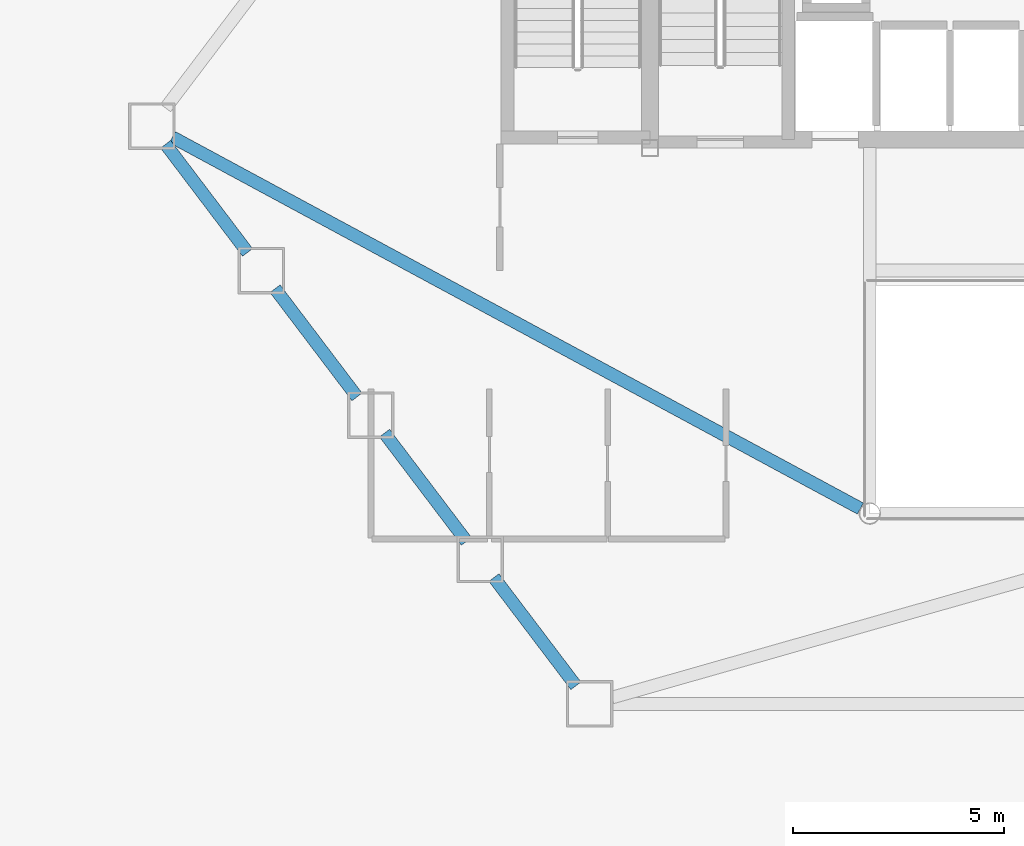
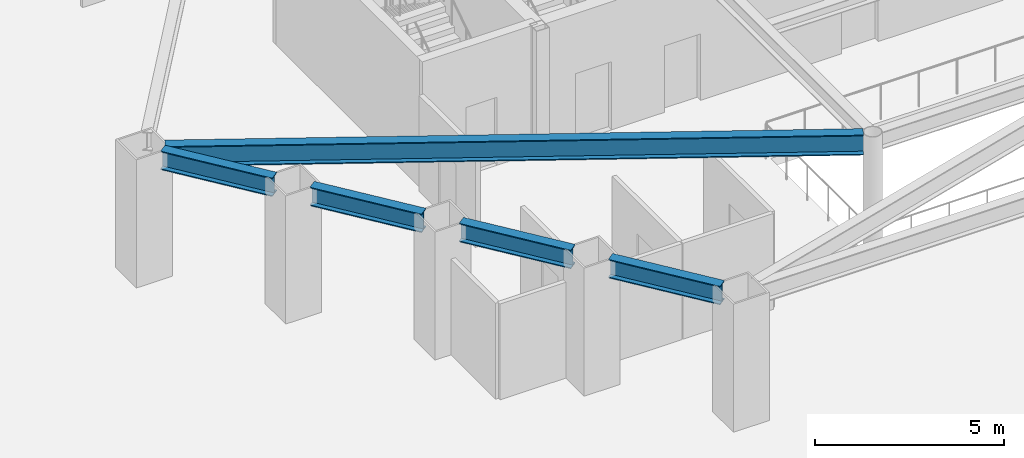
# One storey, part 11 of 43: 5 beams.
"""IFC4 building model written with IfcOpenShell, lengths in metres."""

import ifcopenshell
import ifcopenshell.guid

model = None  # the IFC model being written
_history = None  # IfcOwnerHistory: only IFC2X3 demands one
_inside = {}  # id of a spatial element -> (the spatial element, [elements in it])
_under = {}  # id of a project, library or spatial element -> (it, [spatial elements below it])
_declared = {}  # id of a project -> (the project, [libraries it declares])
_typed = {}  # id of a type object -> (the type object, [elements of that type])
_made_of = {}  # id of a material, layer set ... -> (it, [elements and type objects made of it])


def new_model(schema):
    """Start an empty IFC model of exactly this schema.

    Asked for "IFC4X3", IfcOpenShell would pick the latest addendum, in which some entities
    have other attributes; the version numbers below select the first issue.
    IFC2X3 requires an IfcOwnerHistory on every rooted entity: one is made here for all.
    """
    global model, _history
    if schema == "IFC4X3":
        model = ifcopenshell.file(schema_version=(4, 3, 0, 0))
    else:
        model = ifcopenshell.file(schema=schema)
    _inside.clear()
    _under.clear()
    _declared.clear()
    _typed.clear()
    _made_of.clear()
    _history = None
    if model.schema == "IFC2X3":
        org = make("IfcOrganization", Name="unknown")
        user = make(
            "IfcPersonAndOrganization",
            ThePerson=make("IfcPerson", FamilyName="unknown"),
            TheOrganization=org,
        )
        app = make(
            "IfcApplication",
            ApplicationDeveloper=org,
            Version="unknown",
            ApplicationFullName="unknown",
            ApplicationIdentifier="unknown",
        )
        _history = make(
            "IfcOwnerHistory",
            OwningUser=user,
            OwningApplication=app,
            ChangeAction="ADDED",
            CreationDate=0,
        )
    return model


def make(cls, **values):
    """One entity of the class cls with the attributes given. An attribute that is None is left unset."""
    return model.create_entity(
        cls, **{name: value for name, value in values.items() if value is not None}
    )


def rooted(cls, **values):
    """An entity with a GlobalId (a new one), such as an element, a storey or a relation."""
    return make(cls, GlobalId=ifcopenshell.guid.new(), OwnerHistory=_history, **values)


def si_unit(unit_type, name, prefix=None):
    """IfcSIUnit, for example si_unit("LENGTHUNIT", "METRE", prefix="MILLI")."""
    return make("IfcSIUnit", UnitType=unit_type, Prefix=prefix, Name=name)


def assignment(units):
    """IfcUnitAssignment: the units of a project."""
    return None if units is None else make("IfcUnitAssignment", Units=units)


def point(xyz):
    """IfcCartesianPoint."""
    return None if xyz is None else make("IfcCartesianPoint", Coordinates=xyz)


def direction(xyz):
    """IfcDirection."""
    return None if xyz is None else make("IfcDirection", DirectionRatios=xyz)


def frame(location, z_axis=None, x_axis=None):
    """IfcAxis2Placement3D, a coordinate frame: its origin and axes. An axis left out is left unset."""
    return make(
        "IfcAxis2Placement3D",
        Location=point(location),
        Axis=direction(z_axis),
        RefDirection=direction(x_axis),
    )


def frame_2d(location, x_axis=None):
    """IfcAxis2Placement2D, a coordinate frame in the plane: its origin and x axis."""
    return make(
        "IfcAxis2Placement2D", Location=point(location), RefDirection=direction(x_axis)
    )


def origin():
    """The frame at (0, 0, 0) with its axes left unset."""
    return frame((0.0, 0.0, 0.0))


def origin_2d():
    """The frame at (0, 0) in the plane with its x axis left unset."""
    return frame_2d((0.0, 0.0))


def place(relative_to, where):
    """IfcLocalPlacement: puts the frame where relative to a parent placement (None: the world)."""
    return make(
        "IfcLocalPlacement", PlacementRelTo=relative_to, RelativePlacement=where
    )


def context(
    kind, dimensions, precision=None, world=None, true_north=None, identifier=None
):
    """IfcGeometricRepresentationContext, for example the 3D "Model" context."""
    return make(
        "IfcGeometricRepresentationContext",
        ContextIdentifier=identifier,
        ContextType=kind,
        CoordinateSpaceDimension=dimensions,
        Precision=precision,
        WorldCoordinateSystem=world,
        TrueNorth=true_north,
    )


def subcontext(parent, identifier, kind, view, scale=None):
    """IfcGeometricRepresentationSubContext, for example "Body" below "Model"."""
    return make(
        "IfcGeometricRepresentationSubContext",
        ContextIdentifier=identifier,
        ContextType=kind,
        ParentContext=parent,
        TargetScale=scale,
        TargetView=view,
    )


def project(units=None, contexts=None):
    """IfcProject with its units and contexts."""
    return rooted(
        "IfcProject",
        Name="project",
        RepresentationContexts=contexts,
        UnitsInContext=assignment(units),
    )


def spatial(cls, under=None, at=None, **own):
    """A site, building, storey or space (cls), placed at a placement, below another one or the project."""
    s = rooted(cls, ObjectPlacement=at, **own)
    if under is not None:
        _under.setdefault(under.id(), (under, []))[1].append(s)
    return s


def profile(cls, at=None, kind="AREA", **sizes):
    """A parametric profile (cls). Its sizes go by their IFC names, for example OverallWidth=200.0."""
    return make(cls, ProfileType=kind, Position=at, **sizes)


def i_section(**sizes):
    """IfcIShapeProfileDef."""
    return profile("IfcIShapeProfileDef", **sizes)


def extrude(swept, where, along, depth):
    """IfcExtrudedAreaSolid: the profile swept, set in the frame where, extruded along a direction by depth."""
    return make(
        "IfcExtrudedAreaSolid",
        SweptArea=swept,
        Position=where,
        ExtrudedDirection=direction(along),
        Depth=depth,
    )


def shape(context_of_items, identifier, shape_type, items):
    """IfcShapeRepresentation: the items that make up one representation, for example the "Body"."""
    return make(
        "IfcShapeRepresentation",
        ContextOfItems=context_of_items,
        RepresentationIdentifier=identifier,
        RepresentationType=shape_type,
        Items=items,
    )


def material(Name=None, Category=None):
    """IfcMaterial."""
    return make("IfcMaterial", Name=Name, Category=Category)


def material_profile(
    of_material, cross_section, Name=None, Category=None, Priority=None
):
    """IfcMaterialProfile: a cross section and its material."""
    return make(
        "IfcMaterialProfile",
        Name=Name,
        Material=of_material,
        Profile=cross_section,
        Priority=Priority,
        Category=Category,
    )


def profile_set(profiles, Name=None, composite=None):
    """IfcMaterialProfileSet."""
    return make(
        "IfcMaterialProfileSet",
        Name=Name,
        MaterialProfiles=profiles,
        CompositeProfile=composite,
    )


def made_of(thing, what):
    """Note that an element or type object is made of a material, layer set ...; save() writes the relation."""
    if what is not None:
        _made_of.setdefault(what.id(), (what, []))[1].append(thing)
    return thing


def type_object(cls, material=None, **own):
    """A type object (cls), such as IfcWallType, which elements share."""
    return made_of(rooted(cls, **own), material)


def element(
    cls,
    number,
    at=None,
    inside=None,
    cuts=None,
    type_object=None,
    material=None,
    context=None,
    identifier="Body",
    shape_type=None,
    held_by="IfcProductDefinitionShape",
    body=None,
    shapes=None,
    **own,
):
    """One element of the class cls, such as IfcWall. Its Tag is "e" and its number.

    at: its placement. inside: the storey or other place that contains it. cuts: it is an
    opening in that element (IfcRelVoidsElement). A single representation is given by context,
    identifier, shape_type and body (its items); several are given by shapes. held_by: the class
    of the entity that holds the representations. save() writes the other relations.
    """
    e = rooted(cls, Tag="e%d" % number, ObjectPlacement=at, **own)
    if body is not None:
        shapes = [shape(context, identifier, shape_type, body)]
    if shapes is not None:
        e.Representation = make(held_by, Representations=shapes)
    if inside is not None:
        _inside.setdefault(inside.id(), (inside, []))[1].append(e)
    if cuts is not None:
        rooted(
            "IfcRelVoidsElement", RelatingBuildingElement=cuts, RelatedOpeningElement=e
        )
    if type_object is not None:
        _typed.setdefault(type_object.id(), (type_object, []))[1].append(e)
    return made_of(e, material)


def aggregate(whole, parts):
    """IfcRelAggregates: a whole, such as a stair, and the parts it consists of."""
    return rooted("IfcRelAggregates", RelatingObject=whole, RelatedObjects=parts)


def save(model, path):
    """Write the relations noted so far, then the file.

    IfcRelAggregates (storeys below a building ...), IfcRelContainedInSpatialStructure (elements
    in a storey), IfcRelDefinesByType, IfcRelAssociatesMaterial and IfcRelDeclares: one each for
    every whole, place, type object, material and project.
    """
    for whole, parts in _under.values():
        aggregate(whole, parts)
    for where, things in _inside.values():
        rooted(
            "IfcRelContainedInSpatialStructure",
            RelatedElements=things,
            RelatingStructure=where,
        )
    for kind, things in _typed.values():
        rooted("IfcRelDefinesByType", RelatedObjects=things, RelatingType=kind)
    for what, things in _made_of.values():
        rooted("IfcRelAssociatesMaterial", RelatedObjects=things, RelatingMaterial=what)
    for by, libraries in _declared.values():
        rooted("IfcRelDeclares", RelatingContext=by, RelatedDefinitions=libraries)
    model.write(path)


model = new_model("IFC4")

# Units and contexts
model_context = context("Model", 3, precision=1e-05, world=origin(), true_north=direction((0.0, 1.0)))
body_context = subcontext(model_context, "Body", "Model", "MODEL_VIEW")
ifc_project = project(units=[si_unit("LENGTHUNIT", "METRE"), si_unit("AREAUNIT", "SQUARE_METRE"), si_unit("VOLUMEUNIT", "CUBIC_METRE"), si_unit("PLANEANGLEUNIT", "RADIAN"), si_unit("MASSUNIT", "GRAM", prefix="KILO")], contexts=[model_context])

# Site, building, storey
site_placement = place(None, origin())
site = spatial("IfcSite", under=ifc_project, at=site_placement, CompositionType="ELEMENT")
building_placement = place(site_placement, origin())
building = spatial("IfcBuilding", under=site, at=building_placement, Name="Zarrinselat Tower", CompositionType="ELEMENT")
storey_placement = place(building_placement, frame((0.0, 0.0, 5.10009765625)))
storey = spatial("IfcBuildingStorey", under=building, at=storey_placement, Name="L01", CompositionType="ELEMENT", Elevation=5.10009765625)

# Beams
ifc_material_1 = material(Name="Steel S355J2", Category="steel")
ifc_material_profile_1 = material_profile(ifc_material_1, i_section(OverallWidth=0.300048828125, OverallDepth=0.60009765625, WebThickness=0.015380859375, FlangeThickness=0.030029296875, at=origin_2d()), Name="HEB 600")
ifc_profile_set_1 = profile_set([ifc_material_profile_1], Name="Steel S355J2")
beam_type_1 = type_object("IfcBeamType", Name="BM-HEB600", PredefinedType="BEAM", material=ifc_profile_set_1)
for number, where, z_axis, x_axis, name in (
    (1, (17.140380859375, 33.13916015625, 3.83984375), (0.6038723216, -0.797081061878, 0.0), (0.797081061878, 0.6038723216, 0.0), "L01 Perimeter Spandrel Girder SP06"),
    (2, (19.729736328125, 29.72119140625, 3.83984375), (0.6038723216, -0.797081061878, 0.0), (0.797081061878, 0.6038723216, 0.0), "L01 Perimeter Spandrel Girder SP07"),
    (3, (22.319091796875, 26.30322265625, 3.83984375), (0.6038723216, -0.797081061878, 0.0), (0.797081061878, 0.6038723216, 0.0), "L01 Perimeter Spandrel Girder SP08"),
):
    element("IfcBeam", number, at=place(storey_placement, frame(where, z_axis=z_axis, x_axis=x_axis)), inside=storey, type_object=beam_type_1, Name=name, PredefinedType="BEAM", context=body_context, shape_type="SweptSolid", body=[
        extrude(i_section(OverallWidth=0.300048828125, OverallDepth=0.60009765625, WebThickness=0.015380859375, FlangeThickness=0.030029296875, at=origin_2d()), origin(), (0.0, 0.0, 1.0), 3.212158203125),
    ])
beam_1_placement = place(storey_placement, frame((24.908447265625, 22.88525390625, 3.83984375), z_axis=(0.603835738536, -0.797108776057, 0.0), x_axis=(0.797108776057, 0.603835738536, 0.0)))
element("IfcBeam", 4, at=beam_1_placement, inside=storey, type_object=beam_type_1, Name="L01 Perimeter Spandrel Girder SP09", PredefinedType="BEAM", context=body_context, shape_type="SweptSolid", body=[
    extrude(i_section(OverallWidth=0.300048828125, OverallDepth=0.60009765625, WebThickness=0.015380859375, FlangeThickness=0.030029296875, at=origin_2d()), origin(), (0.0, 0.0, 1.0), 3.21240234375),
])
ifc_material_2 = material(Name="Steel S355J2", Category="steel")
ifc_material_profile_2 = material_profile(ifc_material_2, i_section(OverallWidth=0.300048828125, OverallDepth=0.64990234375, WebThickness=0.01611328125, FlangeThickness=0.031005859375, at=origin_2d()), Name="HEB 650")
ifc_profile_set_2 = profile_set([ifc_material_profile_2], Name="Steel S355J2")
beam_type_2 = type_object("IfcBeamType", Name="BM-HEB650", PredefinedType="BEAM", material=ifc_profile_set_2)
beam_2_placement = place(storey_placement, frame((17.30126953125, 33.305908203125, 3.81494140625), z_axis=(0.879983295663, -0.475004630876, 0.0), x_axis=(0.475004630876, 0.879983295663, 0.0)))
element("IfcBeam", 5, at=beam_2_placement, inside=storey, type_object=beam_type_2, Name="L01 Radial Primary Girder RG06", PredefinedType="BEAM", context=body_context, shape_type="SweptSolid", body=[
    extrude(i_section(OverallWidth=0.300048828125, OverallDepth=0.64990234375, WebThickness=0.01611328125, FlangeThickness=0.031005859375, at=origin_2d()), origin(), (0.0, 0.0, 1.0), 18.4990234375),
])

save(model, "model.ifc")
